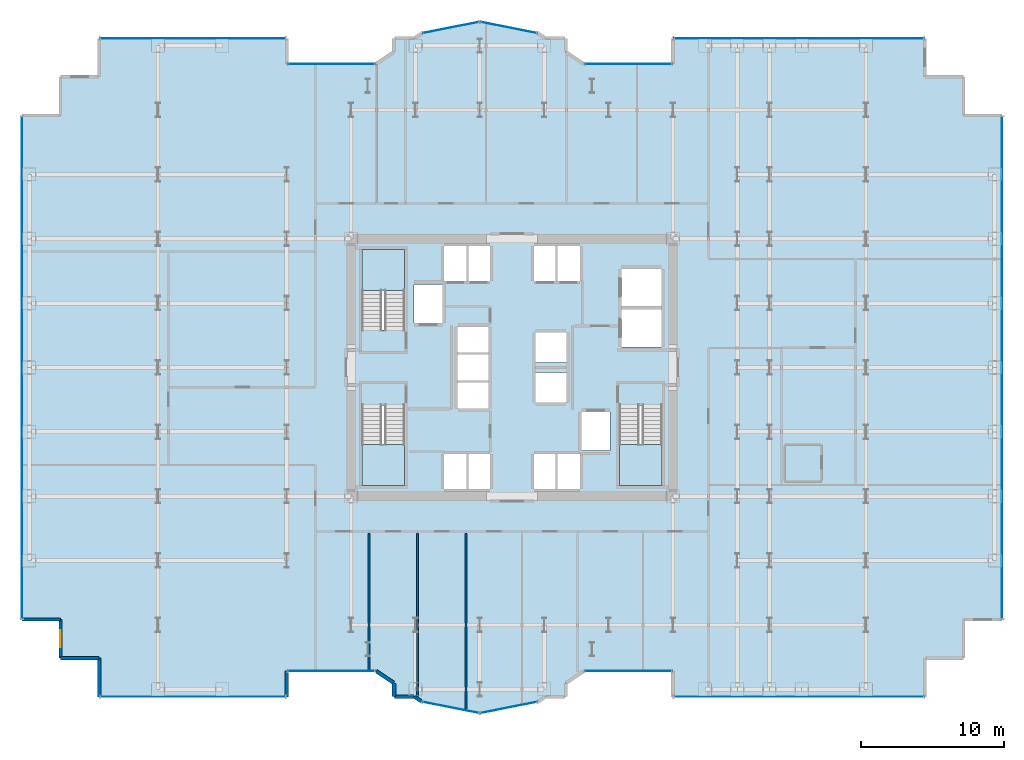
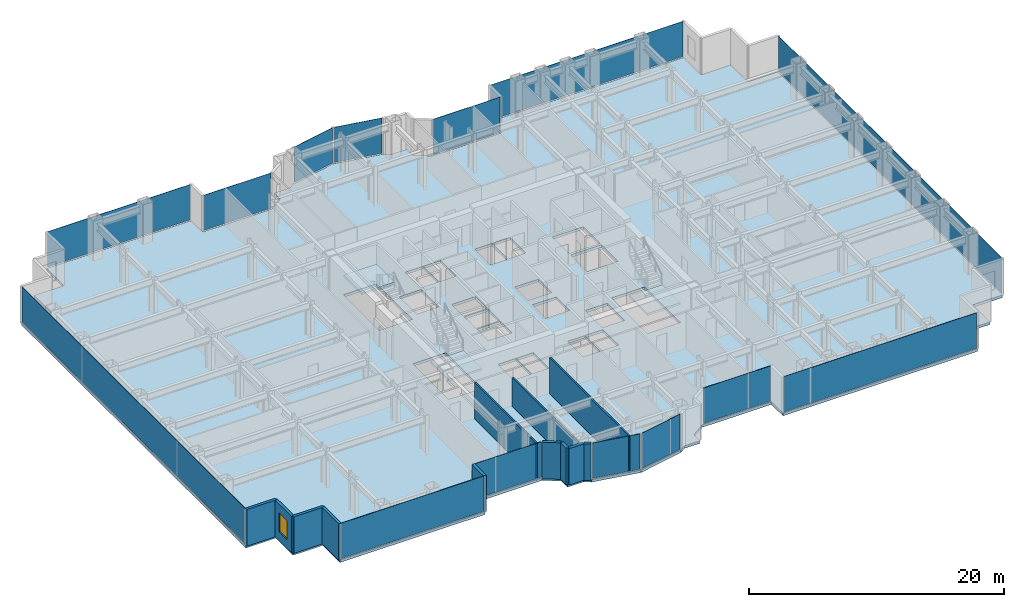
# One storey, part 19 of 26: 14 plates, 12 walls, 4 slabs, 1 window, 1 opening, 17 elements without a shape of their own.
"""IFC4 building model written with IfcOpenShell, lengths in metres."""

from ifc_helpers import new_model, si_unit, direction, frame, frame_2d, origin, origin_2d, place, context, subcontext, project, spatial, polyline, rectangle, outline, extrude, source, transform, mapped, material, layer, layer_set, type_object, element, fill, aggregate, save


model = new_model("IFC4")

# Units and contexts
model_context = context("Model", 3, precision=1e-05, world=origin(), true_north=direction((0.0, 1.0)))
body_context = subcontext(model_context, "Body", "Model", "MODEL_VIEW")
ifc_project = project(units=[si_unit("LENGTHUNIT", "METRE"), si_unit("AREAUNIT", "SQUARE_METRE"), si_unit("VOLUMEUNIT", "CUBIC_METRE"), si_unit("PLANEANGLEUNIT", "RADIAN"), si_unit("MASSUNIT", "GRAM", prefix="KILO")], contexts=[model_context])

# Site, building, storey
site_placement = place(None, origin())
site = spatial("IfcSite", under=ifc_project, at=site_placement, CompositionType="ELEMENT")
building_placement = place(site_placement, origin())
building = spatial("IfcBuilding", under=site, at=building_placement, Name="Nefas-Gora Pilgrimage Tower", CompositionType="ELEMENT")
storey_placement = place(building_placement, frame((0.0, 0.0, 82.39990234375)))
storey = spatial("IfcBuildingStorey", under=building, at=storey_placement, Name="L19", CompositionType="ELEMENT", Elevation=82.39990234375)

# Slab
ifc_material_1 = material(Name="Concrete C40/50", Category="concrete")
ifc_layer_1 = layer(ifc_material_1, 0.25)
ifc_layer_set_1 = layer_set([ifc_layer_1], Name="Concrete C40/50")
slab_type_1 = type_object("IfcSlabType", Name="SLB-TWR-250", PredefinedType="FLOOR", material=ifc_layer_set_1)
slab_1_placement = place(storey_placement, frame((0.0, 0.0, -0.25)))
element("IfcSlab", 1, at=slab_1_placement, inside=storey, type_object=slab_type_1, Name="L19 Structural Floor Slab", PredefinedType="FLOOR", context=body_context, shape_type="SweptSolid", body=[
    extrude(outline(polyline([(5.01806640625, -21.219970703125), (11.25, -21.219970703125), (11.25, -23.02001953125), (28.8701171875, -23.02001953125), (28.8701171875, -20.320068359375), (31.570068359375, -20.320068359375), (31.570068359375, -17.6201171875), (34.27001953125, -17.6201171875), (34.27001953125, 17.6201171875), (31.570068359375, 17.6201171875), (31.570068359375, 20.320068359375), (28.8701171875, 20.320068359375), (28.8701171875, 23.02001953125), (11.25, 23.02001953125), (11.25, 21.219970703125), (5.01806640625, 21.219970703125), (3.75, 22.0673828125), (3.75, 23.02001953125), (2.32421875, 23.02001953125), (1.807373046875, 23.365234375), (-2.25, 24.17236328125), (-6.307373046875, 23.365234375), (-6.82421875, 23.02001953125), (-8.25, 23.02001953125), (-8.25, 22.0673828125), (-9.51806640625, 21.219970703125), (-15.75, 21.219970703125), (-15.75, 23.02001953125), (-28.8701171875, 23.02001953125), (-28.8701171875, 20.320068359375), (-31.570068359375, 20.320068359375), (-31.570068359375, 17.6201171875), (-34.27001953125, 17.6201171875), (-34.27001953125, -17.6201171875), (-31.570068359375, -17.6201171875), (-31.570068359375, -20.320068359375), (-28.8701171875, -20.320068359375), (-28.8701171875, -23.02001953125), (-15.75, -23.02001953125), (-15.75, -21.219970703125), (-9.51806640625, -21.219970703125), (-8.25, -22.0673828125), (-8.25, -23.02001953125), (-6.82421875, -23.02001953125), (-6.307373046875, -23.365234375), (-2.25, -24.17236328125), (1.807373046875, -23.365234375), (2.32421875, -23.02001953125), (3.75, -23.02001953125), (3.75, -22.0673828125), (5.01806640625, -21.219970703125)]), holes=[polyline([(-10.5, 2.639892578125), (-10.5, 8.25), (-7.5, 8.25), (-7.5, 2.639892578125), (-10.5, 2.639892578125)]), polyline([(10.5, -2.639892578125), (10.5, -8.25), (7.5, -8.25), (7.5, -2.639892578125), (10.5, -2.639892578125)]), polyline([(-7.5, -2.639892578125), (-7.5, -8.25), (-10.5, -8.25), (-10.5, -2.639892578125), (-7.5, -2.639892578125)]), polyline([(-6.85009765625, 5.800048828125), (-4.85009765625, 5.800048828125), (-4.85009765625, 3.10009765625), (-6.85009765625, 3.10009765625), (-6.85009765625, 5.800048828125)]), polyline([(4.85009765625, -3.10009765625), (6.85009765625, -3.10009765625), (6.85009765625, -5.800048828125), (4.85009765625, -5.800048828125), (4.85009765625, -3.10009765625)]), polyline([(7.64990234375, 4.050048828125), (10.449951171875, 4.050048828125), (10.449951171875, 1.449951171875), (7.64990234375, 1.449951171875), (7.64990234375, 4.050048828125)]), polyline([(7.64990234375, 6.89990234375), (10.449951171875, 6.89990234375), (10.449951171875, 4.300048828125), (7.64990234375, 4.300048828125), (7.64990234375, 6.89990234375)]), polyline([(-4.75, 8.5), (-3.14990234375, 8.5), (-3.14990234375, 6.050048828125), (-4.75, 6.050048828125), (-4.75, 8.5)]), polyline([(-3.10009765625, 8.5), (-1.550048828125, 8.5), (-1.550048828125, 6.050048828125), (-3.10009765625, 6.050048828125), (-3.10009765625, 8.5)]), polyline([(1.550048828125, 8.5), (3.10009765625, 8.5), (3.10009765625, 6.050048828125), (1.550048828125, 6.050048828125), (1.550048828125, 8.5)]), polyline([(3.14990234375, 8.5), (4.75, 8.5), (4.75, 6.050048828125), (3.14990234375, 6.050048828125), (3.14990234375, 8.5)]), polyline([(-4.75, -6.050048828125), (-3.14990234375, -6.050048828125), (-3.14990234375, -8.5), (-4.75, -8.5), (-4.75, -6.050048828125)]), polyline([(-3.10009765625, -6.050048828125), (-1.550048828125, -6.050048828125), (-1.550048828125, -8.5), (-3.10009765625, -8.5), (-3.10009765625, -6.050048828125)]), polyline([(1.550048828125, -6.050048828125), (3.10009765625, -6.050048828125), (3.10009765625, -8.5), (1.550048828125, -8.5), (1.550048828125, -6.050048828125)]), polyline([(3.14990234375, -6.050048828125), (4.75, -6.050048828125), (4.75, -8.5), (3.14990234375, -8.5), (3.14990234375, -6.050048828125)]), polyline([(-3.800048828125, -1.050048828125), (-1.64990234375, -1.050048828125), (-1.64990234375, -2.85009765625), (-3.800048828125, -2.85009765625), (-3.800048828125, -1.050048828125)]), polyline([(-3.800048828125, 0.89990234375), (-1.64990234375, 0.89990234375), (-1.64990234375, -0.89990234375), (-3.800048828125, -0.89990234375), (-3.800048828125, 0.89990234375)]), polyline([(-3.800048828125, 2.85009765625), (-1.64990234375, 2.85009765625), (-1.64990234375, 1.050048828125), (-3.800048828125, 1.050048828125), (-3.800048828125, 2.85009765625)]), polyline([(1.64990234375, -0.35009765625), (3.800048828125, -0.35009765625), (3.800048828125, -2.449951171875), (1.64990234375, -2.449951171875), (1.64990234375, -0.35009765625)]), polyline([(1.64990234375, 2.449951171875), (3.800048828125, 2.449951171875), (3.800048828125, 0.35009765625), (1.64990234375, 0.35009765625), (1.64990234375, 2.449951171875)])]), origin(), (0.0, 0.0, 1.0), 0.25),
])

# Stair, slab
ifc_material_2 = material(Name="Concrete C45/55", Category="concrete")
stair_type = type_object("IfcStairType", Name="STR-1400-R1727", PredefinedType="HALF_TURN_STAIR", material=ifc_material_2)
stair_1_placement = place(storey_placement, origin())
stair_1 = element("IfcStair", 2, at=stair_1_placement, inside=storey, type_object=stair_type, Name="L19 Pressurised Tower Exit Stair ST-01", PredefinedType="HALF_TURN_STAIR")
ifc_layer_2 = layer(ifc_material_1, 0.199951171875)
ifc_layer_set_2 = layer_set([ifc_layer_2], Name="Concrete C40/50")
slab_type_2 = type_object("IfcSlabType", Name="STR-LAND-200", PredefinedType="LANDING", material=ifc_layer_set_2)
slab_2_placement = place(storey_placement, frame((0.0, 0.0, 1.7001953125)))
slab_2 = element("IfcSlab", 3, at=slab_2_placement, type_object=slab_type_2, Name="ST-01 landing 1", PredefinedType="LANDING", context=body_context, shape_type="SweptSolid", body=[
    extrude(outline(polyline([(-7.5, 5.39990234375), (-7.5, 8.25), (-10.5, 8.25), (-10.5, 5.39990234375), (-7.5, 5.39990234375)])), origin(), (0.0, 0.0, 1.0), 0.199951171875),
])
aggregate(stair_1, [slab_2])

stair_2_placement = place(storey_placement, origin())
stair_2 = element("IfcStair", 4, at=stair_2_placement, inside=storey, type_object=stair_type, Name="L19 Pressurised Tower Exit Stair ST-02", PredefinedType="HALF_TURN_STAIR")
slab_3_placement = place(storey_placement, frame((0.0, 0.0, 1.7001953125)))
slab_3 = element("IfcSlab", 5, at=slab_3_placement, type_object=slab_type_2, Name="ST-02 landing 1", PredefinedType="LANDING", context=body_context, shape_type="SweptSolid", body=[
    extrude(outline(polyline([(7.5, -5.39990234375), (7.5, -8.25), (10.5, -8.25), (10.5, -5.39990234375), (7.5, -5.39990234375)])), origin(), (0.0, 0.0, 1.0), 0.199951171875),
])
aggregate(stair_2, [slab_3])

stair_3_placement = place(storey_placement, origin())
stair_3 = element("IfcStair", 6, at=stair_3_placement, inside=storey, type_object=stair_type, Name="L19 Pressurised Tower Exit Stair ST-03", PredefinedType="HALF_TURN_STAIR")
slab_4_placement = place(storey_placement, frame((0.0, 0.0, 1.7001953125)))
slab_4 = element("IfcSlab", 7, at=slab_4_placement, type_object=slab_type_2, Name="ST-03 landing 1", PredefinedType="LANDING", context=body_context, shape_type="SweptSolid", body=[
    extrude(outline(polyline([(-10.5, -5.39990234375), (-10.5, -8.25), (-7.5, -8.25), (-7.5, -5.39990234375), (-10.5, -5.39990234375)])), origin(), (0.0, 0.0, 1.0), 0.199951171875),
])
aggregate(stair_3, [slab_4])

# Curtain wall, plate
ifc_material_3 = material(Name="Dark ceramic-fritted solar-control aluminium-glass curtain wall", Category="aluminium")
ifc_layer_3 = layer(ifc_material_3, 0.219970703125)
ifc_layer_set_3 = layer_set([ifc_layer_3], Name="Dark ceramic-fritted solar-control aluminium-glass curtain wall")
curtain_wall_type_1 = type_object("IfcCurtainWallType", Name="CW-SYS-5", PredefinedType="NOTDEFINED", material=ifc_layer_set_3)
curtain_wall_1_placement = place(storey_placement, origin())
curtain_wall_1 = element("IfcCurtainWall", 8, at=curtain_wall_1_placement, inside=storey, type_object=curtain_wall_type_1, Name="L19 Unitised Curtain Wall CW5", PredefinedType="NOTDEFINED")
ifc_material_4 = material(Name="Dark ceramic-printed low-e insulated glass", Category="glass")
ifc_layer_4 = layer(ifc_material_4, 0.028076171875)
ifc_layer_set_4 = layer_set([ifc_layer_4], Name="Dark ceramic-printed low-e insulated glass")
plate_type_1 = type_object("IfcPlateType", Name="CWP-PNL-5", PredefinedType="CURTAIN_PANEL", material=ifc_layer_set_4)
shared_shape_1 = source(origin(), body_context, "Body", "SweptSolid", [
    extrude(rectangle(XDim=6.052001953125, YDim=0.028076171875, at=origin_2d()), origin(), (0.0, 0.0, 1.0), 3.389892578125),
])
plate_1_placement = place(storey_placement, frame((8.134033203125, -21.219970703125, 0.10009765625), z_axis=(0.0, 0.0, 1.0), x_axis=(1.0, 0.0, 0.0)))
plate_1 = element("IfcPlate", 9, at=plate_1_placement, type_object=plate_type_1, Name="CW5 Ceramic-Fritted Glazing Panel 1", PredefinedType="CURTAIN_PANEL", context=body_context, shape_type="MappedRepresentation", body=[
    mapped(shared_shape_1, transform((0.0, 0.0, 0.0), x_axis=(1.0, 0.0, 0.0), y_axis=(0.0, 1.0, 0.0), z_axis=(0.0, 0.0, 1.0), scale=1.0)),
])
aggregate(curtain_wall_1, [plate_1])

curtain_wall_2_placement = place(storey_placement, origin())
curtain_wall_2 = element("IfcCurtainWall", 10, at=curtain_wall_2_placement, inside=storey, type_object=curtain_wall_type_1, Name="L19 Unitised Curtain Wall CW5", PredefinedType="NOTDEFINED")
plate_2_placement = place(storey_placement, frame((8.134033203125, 21.219970703125, 0.10009765625), z_axis=(0.0, 0.0, 1.0), x_axis=(-1.0, 0.0, 0.0)))
plate_2 = element("IfcPlate", 11, at=plate_2_placement, type_object=plate_type_1, Name="CW5 Ceramic-Fritted Glazing Panel 1", PredefinedType="CURTAIN_PANEL", context=body_context, shape_type="MappedRepresentation", body=[
    mapped(shared_shape_1, transform((0.0, 0.0, 0.0), x_axis=(1.0, 0.0, 0.0), y_axis=(0.0, 1.0, 0.0), z_axis=(0.0, 0.0, 1.0), scale=1.0)),
])
aggregate(curtain_wall_2, [plate_2])

curtain_wall_3_placement = place(storey_placement, origin())
curtain_wall_3 = element("IfcCurtainWall", 12, at=curtain_wall_3_placement, inside=storey, type_object=curtain_wall_type_1, Name="L19 Unitised Curtain Wall CW5", PredefinedType="NOTDEFINED")
plate_3_placement = place(storey_placement, frame((-12.634033203125, 21.219970703125, 0.10009765625), z_axis=(0.0, 0.0, 1.0), x_axis=(-1.0, 0.0, 0.0)))
plate_3 = element("IfcPlate", 13, at=plate_3_placement, type_object=plate_type_1, Name="CW5 Ceramic-Fritted Glazing Panel 1", PredefinedType="CURTAIN_PANEL", context=body_context, shape_type="MappedRepresentation", body=[
    mapped(shared_shape_1, transform((0.0, 0.0, 0.0), x_axis=(1.0, 0.0, 0.0), y_axis=(0.0, 1.0, 0.0), z_axis=(0.0, 0.0, 1.0), scale=1.0)),
])
aggregate(curtain_wall_3, [plate_3])

curtain_wall_4_placement = place(storey_placement, origin())
curtain_wall_4 = element("IfcCurtainWall", 14, at=curtain_wall_4_placement, inside=storey, type_object=curtain_wall_type_1, Name="L19 Unitised Curtain Wall CW5", PredefinedType="NOTDEFINED")
plate_4_placement = place(storey_placement, frame((-12.634033203125, -21.219970703125, 0.10009765625), z_axis=(0.0, 0.0, 1.0), x_axis=(1.0, 0.0, 0.0)))
plate_4 = element("IfcPlate", 15, at=plate_4_placement, type_object=plate_type_1, Name="CW5 Ceramic-Fritted Glazing Panel 1", PredefinedType="CURTAIN_PANEL", context=body_context, shape_type="MappedRepresentation", body=[
    mapped(shared_shape_1, transform((0.0, 0.0, 0.0), x_axis=(1.0, 0.0, 0.0), y_axis=(0.0, 1.0, 0.0), z_axis=(0.0, 0.0, 1.0), scale=1.0)),
])
aggregate(curtain_wall_4, [plate_4])

ifc_layer_5 = layer(ifc_material_3, 0.219970703125)
ifc_layer_set_5 = layer_set([ifc_layer_5], Name="Dark ceramic-fritted solar-control aluminium-glass curtain wall")
curtain_wall_type_2 = type_object("IfcCurtainWallType", Name="CW-SYS-2", PredefinedType="NOTDEFINED", material=ifc_layer_set_5)
curtain_wall_5_placement = place(storey_placement, origin())
curtain_wall_5 = element("IfcCurtainWall", 16, at=curtain_wall_5_placement, inside=storey, type_object=curtain_wall_type_2, Name="L19 Unitised Curtain Wall CW2", PredefinedType="NOTDEFINED")
ifc_layer_6 = layer(ifc_material_4, 0.031982421875)
ifc_layer_set_6 = layer_set([ifc_layer_6], Name="Dark ceramic-printed low-e insulated glass")
plate_type_2 = type_object("IfcPlateType", Name="CWP-PNL-2", PredefinedType="CURTAIN_PANEL", material=ifc_layer_set_6)
shared_shape_2 = source(origin(), body_context, "Body", "SweptSolid", [
    extrude(rectangle(XDim=17.43994140625, YDim=0.031982421875, at=origin_2d()), origin(), (0.0, 0.0, 1.0), 3.389892578125),
])
plate_5_placement = place(storey_placement, frame((20.06005859375, -23.02001953125, 0.10009765625), z_axis=(0.0, 0.0, 1.0), x_axis=(1.0, 0.0, 0.0)))
plate_5 = element("IfcPlate", 17, at=plate_5_placement, type_object=plate_type_2, Name="CW2 Ceramic-Fritted Glazing Panel 1", PredefinedType="CURTAIN_PANEL", context=body_context, shape_type="MappedRepresentation", body=[
    mapped(shared_shape_2, transform((0.0, 0.0, 0.0), x_axis=(1.0, 0.0, 0.0), y_axis=(0.0, 1.0, 0.0), z_axis=(0.0, 0.0, 1.0), scale=1.0)),
])
aggregate(curtain_wall_5, [plate_5])

curtain_wall_6_placement = place(storey_placement, origin())
curtain_wall_6 = element("IfcCurtainWall", 18, at=curtain_wall_6_placement, inside=storey, type_object=curtain_wall_type_2, Name="L19 Unitised Curtain Wall CW2", PredefinedType="NOTDEFINED")
plate_6_placement = place(storey_placement, frame((20.06005859375, 23.02001953125, 0.10009765625), z_axis=(0.0, 0.0, 1.0), x_axis=(-1.0, 0.0, 0.0)))
plate_6 = element("IfcPlate", 19, at=plate_6_placement, type_object=plate_type_2, Name="CW2 Ceramic-Fritted Glazing Panel 1", PredefinedType="CURTAIN_PANEL", context=body_context, shape_type="MappedRepresentation", body=[
    mapped(shared_shape_2, transform((0.0, 0.0, 0.0), x_axis=(1.0, 0.0, 0.0), y_axis=(0.0, 1.0, 0.0), z_axis=(0.0, 0.0, 1.0), scale=1.0)),
])
aggregate(curtain_wall_6, [plate_6])

curtain_wall_7_placement = place(storey_placement, origin())
curtain_wall_7 = element("IfcCurtainWall", 20, at=curtain_wall_7_placement, inside=storey, type_object=curtain_wall_type_2, Name="L19 Unitised Curtain Wall CW2", PredefinedType="NOTDEFINED")
shared_shape_3 = source(origin(), body_context, "Body", "SweptSolid", [
    extrude(rectangle(XDim=35.06005859375, YDim=0.031982421875, at=origin_2d()), origin(), (0.0, 0.0, 1.0), 3.389892578125),
])
plate_7_placement = place(storey_placement, frame((34.27001953125, 0.0, 0.10009765625), z_axis=(0.0, 0.0, 1.0), x_axis=(0.0, 1.0, 0.0)))
plate_7 = element("IfcPlate", 21, at=plate_7_placement, type_object=plate_type_2, Name="CW2 Ceramic-Fritted Glazing Panel 1", PredefinedType="CURTAIN_PANEL", context=body_context, shape_type="MappedRepresentation", body=[
    mapped(shared_shape_3, transform((0.0, 0.0, 0.0), x_axis=(1.0, 0.0, 0.0), y_axis=(0.0, 1.0, 0.0), z_axis=(0.0, 0.0, 1.0), scale=1.0)),
])
aggregate(curtain_wall_7, [plate_7])

curtain_wall_8_placement = place(storey_placement, origin())
curtain_wall_8 = element("IfcCurtainWall", 22, at=curtain_wall_8_placement, inside=storey, type_object=curtain_wall_type_2, Name="L19 Unitised Curtain Wall CW2", PredefinedType="NOTDEFINED")
plate_8_placement = place(storey_placement, frame((-34.27001953125, 0.0, 0.10009765625), z_axis=(0.0, 0.0, 1.0), x_axis=(0.0, -1.0, 0.0)))
plate_8 = element("IfcPlate", 23, at=plate_8_placement, type_object=plate_type_2, Name="CW2 Ceramic-Fritted Glazing Panel 1", PredefinedType="CURTAIN_PANEL", context=body_context, shape_type="MappedRepresentation", body=[
    mapped(shared_shape_3, transform((0.0, 0.0, 0.0), x_axis=(1.0, 0.0, 0.0), y_axis=(0.0, 1.0, 0.0), z_axis=(0.0, 0.0, 1.0), scale=1.0)),
])
aggregate(curtain_wall_8, [plate_8])

curtain_wall_9_placement = place(storey_placement, origin())
curtain_wall_9 = element("IfcCurtainWall", 24, at=curtain_wall_9_placement, inside=storey, type_object=curtain_wall_type_1, Name="L19 Unitised Curtain Wall CW5", PredefinedType="NOTDEFINED")
shared_shape_4 = source(origin(), body_context, "Body", "SweptSolid", [
    extrude(rectangle(XDim=3.956787109375, YDim=0.028076171875, at=origin_2d()), origin(), (0.0, 0.0, 1.0), 3.389892578125),
])
plate_9_placement = place(storey_placement, frame((-0.22119140625, 23.768798828125, 0.10009765625), z_axis=(0.0, 0.0, 1.0), x_axis=(-0.980782896852, 0.195102304554, 0.0)))
plate_9 = element("IfcPlate", 25, at=plate_9_placement, type_object=plate_type_1, Name="CW5 Ceramic-Fritted Glazing Panel 1", PredefinedType="CURTAIN_PANEL", context=body_context, shape_type="MappedRepresentation", body=[
    mapped(shared_shape_4, transform((0.0, 0.0, 0.0), x_axis=(1.0, 0.0, 0.0), y_axis=(0.0, 1.0, 0.0), z_axis=(0.0, 0.0, 1.0), scale=1.0)),
])
aggregate(curtain_wall_9, [plate_9])

curtain_wall_10_placement = place(storey_placement, origin())
curtain_wall_10 = element("IfcCurtainWall", 26, at=curtain_wall_10_placement, inside=storey, type_object=curtain_wall_type_1, Name="L19 Unitised Curtain Wall CW5", PredefinedType="NOTDEFINED")
plate_10_placement = place(storey_placement, frame((-4.278564453125, 23.768798828125, 0.10009765625), z_axis=(0.0, 0.0, 1.0), x_axis=(-0.980782896852, -0.195102304554, 0.0)))
plate_10 = element("IfcPlate", 27, at=plate_10_placement, type_object=plate_type_1, Name="CW5 Ceramic-Fritted Glazing Panel 1", PredefinedType="CURTAIN_PANEL", context=body_context, shape_type="MappedRepresentation", body=[
    mapped(shared_shape_4, transform((0.0, 0.0, 0.0), x_axis=(1.0, 0.0, 0.0), y_axis=(0.0, 1.0, 0.0), z_axis=(0.0, 0.0, 1.0), scale=1.0)),
])
aggregate(curtain_wall_10, [plate_10])

curtain_wall_11_placement = place(storey_placement, origin())
curtain_wall_11 = element("IfcCurtainWall", 28, at=curtain_wall_11_placement, inside=storey, type_object=curtain_wall_type_1, Name="L19 Unitised Curtain Wall CW5", PredefinedType="NOTDEFINED")
plate_11_placement = place(storey_placement, frame((-4.278564453125, -23.768798828125, 0.10009765625), z_axis=(0.0, 0.0, 1.0), x_axis=(0.980782896852, -0.195102304554, 0.0)))
plate_11 = element("IfcPlate", 29, at=plate_11_placement, type_object=plate_type_1, Name="CW5 Ceramic-Fritted Glazing Panel 1", PredefinedType="CURTAIN_PANEL", context=body_context, shape_type="MappedRepresentation", body=[
    mapped(shared_shape_4, transform((0.0, 0.0, 0.0), x_axis=(1.0, 0.0, 0.0), y_axis=(0.0, 1.0, 0.0), z_axis=(0.0, 0.0, 1.0), scale=1.0)),
])
aggregate(curtain_wall_11, [plate_11])

curtain_wall_12_placement = place(storey_placement, origin())
curtain_wall_12 = element("IfcCurtainWall", 30, at=curtain_wall_12_placement, inside=storey, type_object=curtain_wall_type_1, Name="L19 Unitised Curtain Wall CW5", PredefinedType="NOTDEFINED")
plate_12_placement = place(storey_placement, frame((-0.221435546875, -23.768798828125, 0.10009765625), z_axis=(0.0, 0.0, 1.0), x_axis=(0.980782896852, 0.195102304554, 0.0)))
plate_12 = element("IfcPlate", 31, at=plate_12_placement, type_object=plate_type_1, Name="CW5 Ceramic-Fritted Glazing Panel 1", PredefinedType="CURTAIN_PANEL", context=body_context, shape_type="MappedRepresentation", body=[
    mapped(shared_shape_4, transform((0.0, 0.0, 0.0), x_axis=(1.0, 0.0, 0.0), y_axis=(0.0, 1.0, 0.0), z_axis=(0.0, 0.0, 1.0), scale=1.0)),
])
aggregate(curtain_wall_12, [plate_12])

curtain_wall_13_placement = place(storey_placement, origin())
curtain_wall_13 = element("IfcCurtainWall", 32, at=curtain_wall_13_placement, inside=storey, type_object=curtain_wall_type_2, Name="L19 Unitised Curtain Wall CW2", PredefinedType="NOTDEFINED")
shared_shape_5 = source(origin(), body_context, "Body", "SweptSolid", [
    extrude(rectangle(XDim=12.93994140625, YDim=0.031982421875, at=origin_2d()), origin(), (0.0, 0.0, 1.0), 3.389892578125),
])
plate_13_placement = place(storey_placement, frame((-22.31005859375, 23.02001953125, 0.10009765625), z_axis=(0.0, 0.0, 1.0), x_axis=(-1.0, 0.0, 0.0)))
plate_13 = element("IfcPlate", 33, at=plate_13_placement, type_object=plate_type_2, Name="CW2 Ceramic-Fritted Glazing Panel 1", PredefinedType="CURTAIN_PANEL", context=body_context, shape_type="MappedRepresentation", body=[
    mapped(shared_shape_5, transform((0.0, 0.0, 0.0), x_axis=(1.0, 0.0, 0.0), y_axis=(0.0, 1.0, 0.0), z_axis=(0.0, 0.0, 1.0), scale=1.0)),
])
aggregate(curtain_wall_13, [plate_13])

curtain_wall_14_placement = place(storey_placement, origin())
curtain_wall_14 = element("IfcCurtainWall", 34, at=curtain_wall_14_placement, inside=storey, type_object=curtain_wall_type_2, Name="L19 Unitised Curtain Wall CW2", PredefinedType="NOTDEFINED")
plate_14_placement = place(storey_placement, frame((-22.31005859375, -23.02001953125, 0.10009765625), z_axis=(0.0, 0.0, 1.0), x_axis=(1.0, 0.0, 0.0)))
plate_14 = element("IfcPlate", 35, at=plate_14_placement, type_object=plate_type_2, Name="CW2 Ceramic-Fritted Glazing Panel 1", PredefinedType="CURTAIN_PANEL", context=body_context, shape_type="MappedRepresentation", body=[
    mapped(shared_shape_5, transform((0.0, 0.0, 0.0), x_axis=(1.0, 0.0, 0.0), y_axis=(0.0, 1.0, 0.0), z_axis=(0.0, 0.0, 1.0), scale=1.0)),
])
aggregate(curtain_wall_14, [plate_14])

# Walls
ifc_material_5 = material(Name="Precast concrete C40/50", Category="concrete")
ifc_layer_7 = layer(ifc_material_5, 0.260009765625)
ifc_layer_set_7 = layer_set([ifc_layer_7], Name="Precast concrete C40/50")
wall_type_1 = type_object("IfcWallType", Name="EW-PORTAL-260", PredefinedType="SOLIDWALL", material=ifc_layer_set_7)
shared_shape_6 = source(origin(), body_context, "Body", "SweptSolid", [
    extrude(rectangle(XDim=1.800048828125, YDim=0.260009765625, at=frame_2d((0.89990234375, 0.0))), origin(), (0.0, 0.0, 1.0), 3.5),
])
wall_1_placement = place(storey_placement, frame((-15.75, -23.02001953125, 0.0), z_axis=(0.0, 0.0, 1.0), x_axis=(0.0, 1.0, 0.0)))
element("IfcWall", 36, at=wall_1_placement, inside=storey, type_object=wall_type_1, Name="L19 Lobe Shoulder Precast Spandrel Pier 28", PredefinedType="SOLIDWALL", context=body_context, shape_type="MappedRepresentation", body=[
    mapped(shared_shape_6, transform((0.0, 0.0, 0.0), x_axis=(1.0, 0.0, 0.0), y_axis=(0.0, 1.0, 0.0), z_axis=(0.0, 0.0, 1.0), scale=1.0)),
])
ifc_material_6 = material(Name="Precast concrete C45/55", Category="concrete")
ifc_layer_8 = layer(ifc_material_6, 0.239990234375)
ifc_layer_set_8 = layer_set([ifc_layer_8], Name="Precast concrete C45/55")
wall_type_2 = type_object("IfcWallType", Name="EW-SERR-240", PredefinedType="SHEAR", material=ifc_layer_set_8)
shared_shape_7 = source(origin(), body_context, "Body", "SweptSolid", [
    extrude(rectangle(XDim=2.699951171875, YDim=0.239990234375, at=frame_2d((1.35009765625, 0.0))), origin(), (0.0, 0.0, 1.0), 3.5),
])
wall_2_placement = place(storey_placement, frame((-34.27001953125, -17.6201171875, 0.0), z_axis=(0.0, 0.0, 1.0), x_axis=(1.0, 0.0, 0.0)))
element("IfcWall", 37, at=wall_2_placement, inside=storey, type_object=wall_type_2, Name="L19 Serrated Corner Shear Pier Wall 24", PredefinedType="SHEAR", context=body_context, shape_type="MappedRepresentation", body=[
    mapped(shared_shape_7, transform((0.0, 0.0, 0.0), x_axis=(1.0, 0.0, 0.0), y_axis=(0.0, 1.0, 0.0), z_axis=(0.0, 0.0, 1.0), scale=1.0)),
])

# Wall, opening, window
wall_3_placement = place(storey_placement, frame((-31.570068359375, -17.6201171875, 0.0), z_axis=(0.0, 0.0, 1.0), x_axis=(0.0, -1.0, 0.0)))
wall_3 = element("IfcWall", 38, at=wall_3_placement, inside=storey, type_object=wall_type_2, Name="L19 Serrated Corner Shear Pier Wall 25", PredefinedType="SHEAR", context=body_context, shape_type="MappedRepresentation", body=[
    mapped(shared_shape_7, transform((0.0, 0.0, 0.0), x_axis=(1.0, 0.0, 0.0), y_axis=(0.0, 1.0, 0.0), z_axis=(0.0, 0.0, 1.0), scale=1.0)),
])
opening_placement = place(wall_3_placement, frame((0.75, 0.0, 0.85009765625)))
opening = element("IfcOpeningElement", 39, at=opening_placement, cuts=wall_3, Name="Opening W-V1", PredefinedType="OPENING", context=body_context, shape_type="SweptSolid", body=[
    extrude(rectangle(XDim=1.199951171875, YDim=1.800048828125, at=frame_2d((0.60009765625, 0.89990234375))), frame((0.0, 0.1298828125, 0.0), z_axis=(0.0, -1.0, 0.0), x_axis=(1.0, 0.0, 0.0)), (0.0, 0.0, 1.0), 0.260009765625),
])
ifc_material_7 = material(Name="Dark ceramic-fritted operable aluminium-glass window", Category="aluminium")
window_type = type_object("IfcWindowType", Name="WIN-VENT-1200x1800", PartitioningType="SINGLE_PANEL", PredefinedType="WINDOW", material=ifc_material_7)
shared_shape_8 = source(origin(), body_context, "Body", "SweptSolid", [
    extrude(rectangle(XDim=1.199951171875, YDim=1.800048828125, at=frame_2d((0.60009765625, 0.89990234375))), frame((0.0, 0.030029296875, 0.0), z_axis=(0.0, -1.0, 0.0), x_axis=(1.0, 0.0, 0.0)), (0.0, 0.0, 1.0), 0.06005859375),
])
window_placement = place(opening_placement, origin())
window = element("IfcWindow", 40, at=window_placement, inside=storey, type_object=window_type, Name="L19 Operable Parallel-Outswing Window 25", OverallHeight=1.800048828125, OverallWidth=1.199951171875, PartitioningType="SINGLE_PANEL", PredefinedType="WINDOW", context=body_context, shape_type="MappedRepresentation", body=[
    mapped(shared_shape_8, transform((0.0, 0.0, 0.0), x_axis=(1.0, 0.0, 0.0), y_axis=(0.0, 1.0, 0.0), z_axis=(0.0, 0.0, 1.0), scale=1.0)),
])
fill(opening, window)

# Walls
for number, where, z_axis, x_axis, name in (
    (41, (-31.570068359375, -20.320068359375, 0.0), (0.0, 0.0, 1.0), (1.0, 0.0, 0.0), "L19 Serrated Corner Shear Pier Wall 26"),
    (42, (-28.8701171875, -20.320068359375, 0.0), (0.0, 0.0, 1.0), (0.0, -1.0, 0.0), "L19 Serrated Corner Shear Pier Wall 27"),
):
    element("IfcWall", number, at=place(storey_placement, frame(where, z_axis=z_axis, x_axis=x_axis)), inside=storey, type_object=wall_type_2, Name=name, PredefinedType="SHEAR", context=body_context, shape_type="MappedRepresentation", body=[
        mapped(shared_shape_7, transform((0.0, 0.0, 0.0), x_axis=(1.0, 0.0, 0.0), y_axis=(0.0, 1.0, 0.0), z_axis=(0.0, 0.0, 1.0), scale=1.0)),
    ])
shared_shape_9 = source(origin(), body_context, "Body", "SweptSolid", [
    extrude(rectangle(XDim=1.468994140625, YDim=0.260009765625, at=frame_2d((0.734375, 0.0))), origin(), (0.0, 0.0, 1.0), 3.5),
])
wall_4_placement = place(storey_placement, frame((-9.49462890625, -21.235595703125, 0.0), z_axis=(0.0, 0.0, 1.0), x_axis=(0.831461760506, -0.555581983884, 0.0)))
element("IfcWall", 43, at=wall_4_placement, inside=storey, type_object=wall_type_1, Name="L19 Lobe Shoulder Precast Spandrel Pier 29", PredefinedType="SOLIDWALL", context=body_context, shape_type="MappedRepresentation", body=[
    mapped(shared_shape_9, transform((0.0, 0.0, 0.0), x_axis=(1.0, 0.0, 0.0), y_axis=(0.0, 1.0, 0.0), z_axis=(0.0, 0.0, 1.0), scale=1.0)),
])
shared_shape_10 = source(origin(), body_context, "Body", "SweptSolid", [
    extrude(rectangle(XDim=0.896728515625, YDim=0.260009765625, at=frame_2d((0.4482421875, 0.0))), origin(), (0.0, 0.0, 1.0), 3.5),
])
wall_5_placement = place(storey_placement, frame((-8.25, -22.09521484375, 0.0), z_axis=(0.0, 0.0, 1.0), x_axis=(0.0, -1.0, 0.0)))
element("IfcWall", 44, at=wall_5_placement, inside=storey, type_object=wall_type_1, Name="L19 Lobe Shoulder Precast Spandrel Pier 30", PredefinedType="SOLIDWALL", context=body_context, shape_type="MappedRepresentation", body=[
    mapped(shared_shape_10, transform((0.0, 0.0, 0.0), x_axis=(1.0, 0.0, 0.0), y_axis=(0.0, 1.0, 0.0), z_axis=(0.0, 0.0, 1.0), scale=1.0)),
])
shared_shape_11 = source(origin(), body_context, "Body", "SweptSolid", [
    extrude(rectangle(XDim=1.369873046875, YDim=0.260009765625, at=frame_2d((0.68505859375, 0.0))), origin(), (0.0, 0.0, 1.0), 3.5),
])
wall_6_placement = place(storey_placement, frame((-8.221923828125, -23.02001953125, 0.0), z_axis=(0.0, 0.0, 1.0), x_axis=(1.0, 0.0, 0.0)))
element("IfcWall", 45, at=wall_6_placement, inside=storey, type_object=wall_type_1, Name="L19 Lobe Shoulder Precast Spandrel Pier 31", PredefinedType="SOLIDWALL", context=body_context, shape_type="MappedRepresentation", body=[
    mapped(shared_shape_11, transform((0.0, 0.0, 0.0), x_axis=(1.0, 0.0, 0.0), y_axis=(0.0, 1.0, 0.0), z_axis=(0.0, 0.0, 1.0), scale=1.0)),
])
shared_shape_12 = source(origin(), body_context, "Body", "SweptSolid", [
    extrude(rectangle(XDim=0.5654296875, YDim=0.260009765625, at=frame_2d((0.28271484375, 0.0))), origin(), (0.0, 0.0, 1.0), 3.5),
])
wall_7_placement = place(storey_placement, frame((-6.80078125, -23.03564453125, 0.0), z_axis=(0.0, 0.0, 1.0), x_axis=(0.831651492666, -0.555297933317, 0.0)))
element("IfcWall", 46, at=wall_7_placement, inside=storey, type_object=wall_type_1, Name="L19 Lobe Shoulder Precast Spandrel Pier 32", PredefinedType="SOLIDWALL", context=body_context, shape_type="MappedRepresentation", body=[
    mapped(shared_shape_12, transform((0.0, 0.0, 0.0), x_axis=(1.0, 0.0, 0.0), y_axis=(0.0, 1.0, 0.0), z_axis=(0.0, 0.0, 1.0), scale=1.0)),
])
ifc_material_8 = material(Name="Gypsum twin-stud partition")
ifc_layer_9 = layer(ifc_material_8, 0.139892578125)
ifc_layer_set_9 = layer_set([ifc_layer_9], Name="Gypsum twin-stud partition")
wall_type_3 = type_object("IfcWallType", Name="IW-UNIT-140", PredefinedType="PARTITIONING", material=ifc_layer_set_9)
shared_shape_13 = source(origin(), body_context, "Body", "SweptSolid", [
    extrude(rectangle(XDim=9.64990234375, YDim=0.139892578125, at=frame_2d((4.824951171875, 0.0))), origin(), (0.0, 0.0, 1.0), 3.485107421875),
])
wall_8_placement = place(storey_placement, frame((-10.0048828125, -21.239990234375, 0.0), z_axis=(0.0, 0.0, 1.0), x_axis=(0.0, 1.0, 0.0)))
element("IfcWall", 47, at=wall_8_placement, inside=storey, type_object=wall_type_3, Name="L19 Pilgrim Contemplative Lounge Partition Wall 53", PredefinedType="PARTITIONING", context=body_context, shape_type="MappedRepresentation", body=[
    mapped(shared_shape_13, transform((0.0, 0.0, 0.0), x_axis=(1.0, 0.0, 0.0), y_axis=(0.0, 1.0, 0.0), z_axis=(0.0, 0.0, 1.0), scale=1.0)),
])
shared_shape_14 = source(origin(), body_context, "Body", "SweptSolid", [
    extrude(rectangle(XDim=11.370849609375, YDim=0.139892578125, at=frame_2d((5.685546875, 0.0))), origin(), (0.0, 0.0, 1.0), 2.775146484375),
])
wall_9_placement = place(storey_placement, frame((-6.610107421875, -22.9609375, 0.0), z_axis=(0.0, 0.0, 1.0), x_axis=(0.0, 1.0, 0.0)))
element("IfcWall", 48, at=wall_9_placement, inside=storey, type_object=wall_type_3, Name="L19 Pilgrim Contemplative Lounge Partition Wall 55", PredefinedType="PARTITIONING", context=body_context, shape_type="MappedRepresentation", body=[
    mapped(shared_shape_14, transform((0.0, 0.0, 0.0), x_axis=(1.0, 0.0, 0.0), y_axis=(0.0, 1.0, 0.0), z_axis=(0.0, 0.0, 1.0), scale=1.0)),
])
shared_shape_15 = source(origin(), body_context, "Body", "SweptSolid", [
    extrude(rectangle(XDim=12.414794921875, YDim=0.139892578125, at=frame_2d((6.20751953125, 0.0))), origin(), (0.0, 0.0, 1.0), 3.485107421875),
])
wall_10_placement = place(storey_placement, frame((-3.205078125, -24.0048828125, 0.0), z_axis=(0.0, 0.0, 1.0), x_axis=(0.0, 1.0, 0.0)))
element("IfcWall", 49, at=wall_10_placement, inside=storey, type_object=wall_type_3, Name="L19 Pastoral Chaplains Counselling Office Partition Wall 57", PredefinedType="PARTITIONING", context=body_context, shape_type="MappedRepresentation", body=[
    mapped(shared_shape_15, transform((0.0, 0.0, 0.0), x_axis=(1.0, 0.0, 0.0), y_axis=(0.0, 1.0, 0.0), z_axis=(0.0, 0.0, 1.0), scale=1.0)),
])

save(model, "model.ifc")
